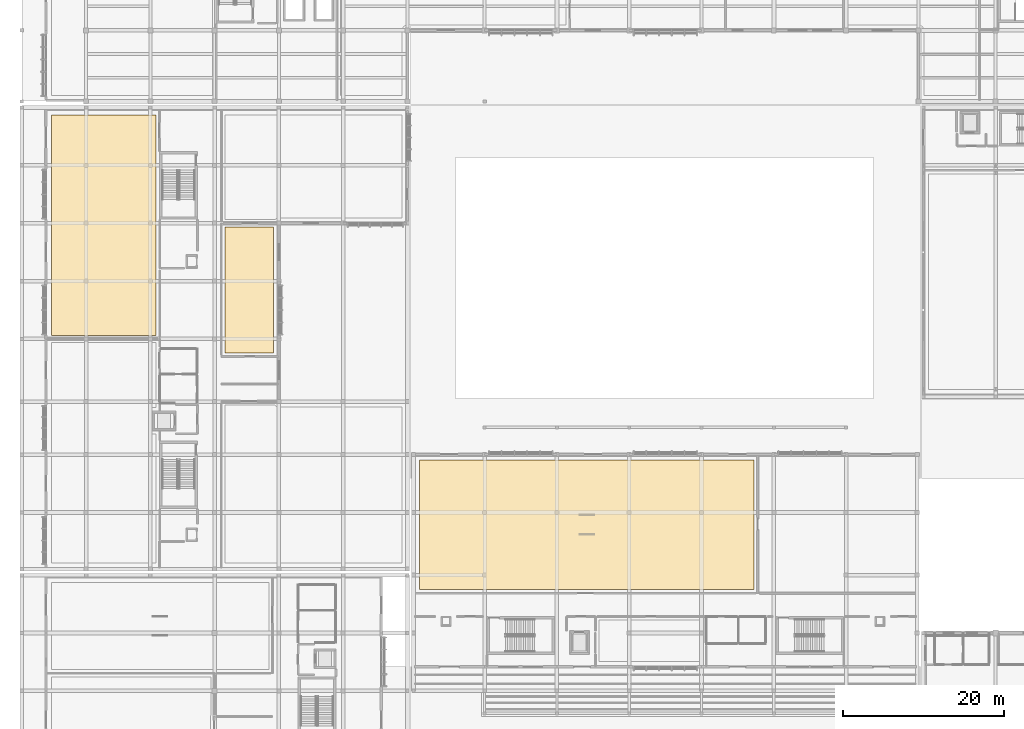
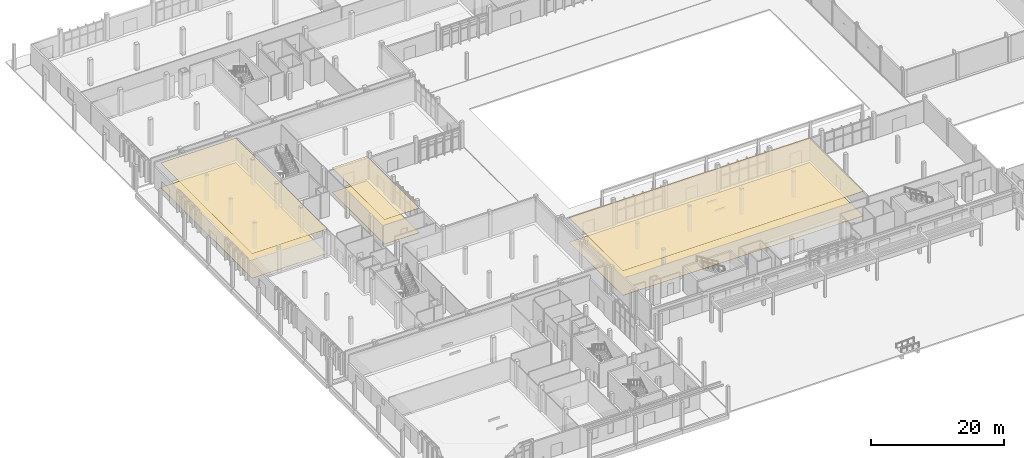
# One storey, part 139 of 151: 6 coverings.
"""IFC4 building model written with IfcOpenShell, lengths in metres."""

from ifc_helpers import new_model, si_unit, direction, frame, origin, place, context, subcontext, project, spatial, polyline, outline, extrude, material, layer, layer_set, type_object, element, save


model = new_model("IFC4")

# Units and contexts
model_context = context("Model", 3, precision=1e-05, world=origin(), true_north=direction((0.0, 1.0)))
body_context = subcontext(model_context, "Body", "Model", "MODEL_VIEW")
ifc_project = project(units=[si_unit("LENGTHUNIT", "METRE"), si_unit("AREAUNIT", "SQUARE_METRE"), si_unit("VOLUMEUNIT", "CUBIC_METRE"), si_unit("PLANEANGLEUNIT", "RADIAN"), si_unit("MASSUNIT", "GRAM", prefix="KILO")], contexts=[model_context])

# Site, building, storey
site_placement = place(None, origin())
site = spatial("IfcSite", under=ifc_project, at=site_placement, CompositionType="ELEMENT")
building_placement = place(site_placement, origin())
building = spatial("IfcBuilding", under=site, at=building_placement, Name="Chiffa Square Polytechnic", CompositionType="ELEMENT")
storey_placement = place(building_placement, origin())
storey = spatial("IfcBuildingStorey", under=building, at=storey_placement, Name="L00", CompositionType="ELEMENT", Elevation=0.0)

# Coverings
ifc_material_1 = material(Name="Perforated gypsum acoustic board")
ifc_layer_1 = layer(ifc_material_1, 0.02490234375, Name="Perforated gypsum acoustic board")
ifc_layer_set_1 = layer_set([ifc_layer_1], Name="Perforated gypsum acoustic board")
covering_type_1 = type_object("IfcCoveringType", Name="COV-CEIL-GYP", PredefinedType="CEILING", material=ifc_layer_set_1)
covering_1_placement = place(storey_placement, frame((0.0, 0.0, 4.4970703125)))
element("IfcCovering", 1, at=covering_1_placement, inside=storey, type_object=covering_type_1, Name="Suspended acoustic ceiling CL-V4-L00-010", PredefinedType="CEILING", context=body_context, shape_type="SweptSolid", body=[
    extrude(outline(polyline([(91.14990234375, 34.199951171875), (49.52001953125, 34.199951171875), (49.52001953125, 50.330078125), (91.14990234375, 50.330078125), (91.14990234375, 34.199951171875)])), origin(), (0.0, 0.0, 1.0), 0.02490234375),
])
covering_2_placement = place(storey_placement, frame((0.0, 0.0, 4.4970703125)))
element("IfcCovering", 2, at=covering_2_placement, inside=storey, type_object=covering_type_1, Name="Suspended acoustic ceiling CL-V6-L00-019", PredefinedType="CEILING", context=body_context, shape_type="SweptSolid", body=[
    extrude(outline(polyline([(3.669921875, 65.85009765625), (3.669921875, 93.280029296875), (16.699951171875, 93.280029296875), (16.699951171875, 65.85009765625), (3.669921875, 65.85009765625)])), origin(), (0.0, 0.0, 1.0), 0.02490234375),
])
covering_3_placement = place(storey_placement, frame((0.0, 0.0, 4.4970703125)))
element("IfcCovering", 3, at=covering_3_placement, inside=storey, type_object=covering_type_1, Name="Suspended acoustic ceiling CL-V6-L00-021", PredefinedType="CEILING", context=body_context, shape_type="SweptSolid", body=[
    extrude(outline(polyline([(25.300048828125, 63.64990234375), (25.300048828125, 79.35009765625), (31.330078125, 79.35009765625), (31.330078125, 63.64990234375), (25.300048828125, 63.64990234375)])), origin(), (0.0, 0.0, 1.0), 0.02490234375),
])
ifc_material_2 = material(Name="Polished cementitious terrazzo")
ifc_layer_2 = layer(ifc_material_2, 0.0400390625, Name="Polished cementitious terrazzo")
ifc_layer_set_2 = layer_set([ifc_layer_2], Name="Polished cementitious terrazzo")
covering_type_2 = type_object("IfcCoveringType", Name="COV-FLR-TERRAZZO", PredefinedType="FLOORING", material=ifc_layer_set_2)
covering_4_placement = place(storey_placement, origin())
element("IfcCovering", 4, at=covering_4_placement, inside=storey, type_object=covering_type_2, Name="Polished terrazzo floor finish FL-V4-L00-009", PredefinedType="FLOORING", context=body_context, shape_type="SweptSolid", body=[
    extrude(outline(polyline([(91.14990234375, 34.199951171875), (49.52001953125, 34.199951171875), (49.52001953125, 50.330078125), (91.14990234375, 50.330078125), (91.14990234375, 34.199951171875)])), origin(), (0.0, 0.0, 1.0), 0.0400390625),
])
covering_5_placement = place(storey_placement, origin())
element("IfcCovering", 5, at=covering_5_placement, inside=storey, type_object=covering_type_2, Name="Polished terrazzo floor finish FL-V6-L00-018", PredefinedType="FLOORING", context=body_context, shape_type="SweptSolid", body=[
    extrude(outline(polyline([(3.669921875, 65.85009765625), (3.669921875, 93.280029296875), (16.699951171875, 93.280029296875), (16.699951171875, 65.85009765625), (3.669921875, 65.85009765625)])), origin(), (0.0, 0.0, 1.0), 0.0400390625),
])
covering_6_placement = place(storey_placement, origin())
element("IfcCovering", 6, at=covering_6_placement, inside=storey, type_object=covering_type_2, Name="Polished terrazzo floor finish FL-V6-L00-020", PredefinedType="FLOORING", context=body_context, shape_type="SweptSolid", body=[
    extrude(outline(polyline([(25.300048828125, 63.64990234375), (25.300048828125, 79.35009765625), (31.330078125, 79.35009765625), (31.330078125, 63.64990234375), (25.300048828125, 63.64990234375)])), origin(), (0.0, 0.0, 1.0), 0.0400390625),
])

save(model, "model.ifc")
